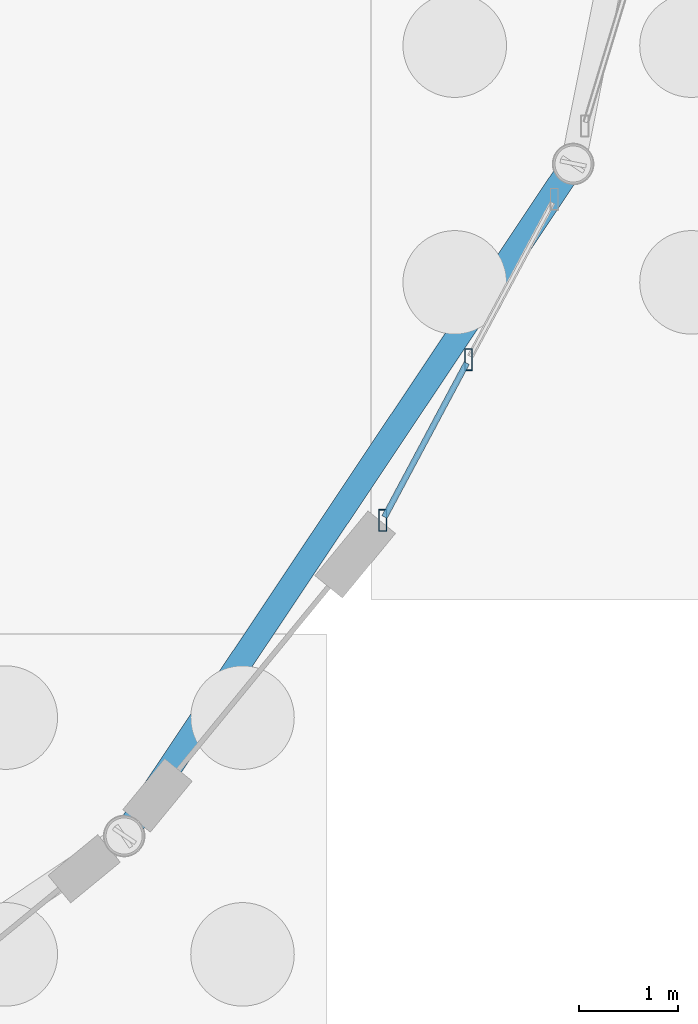
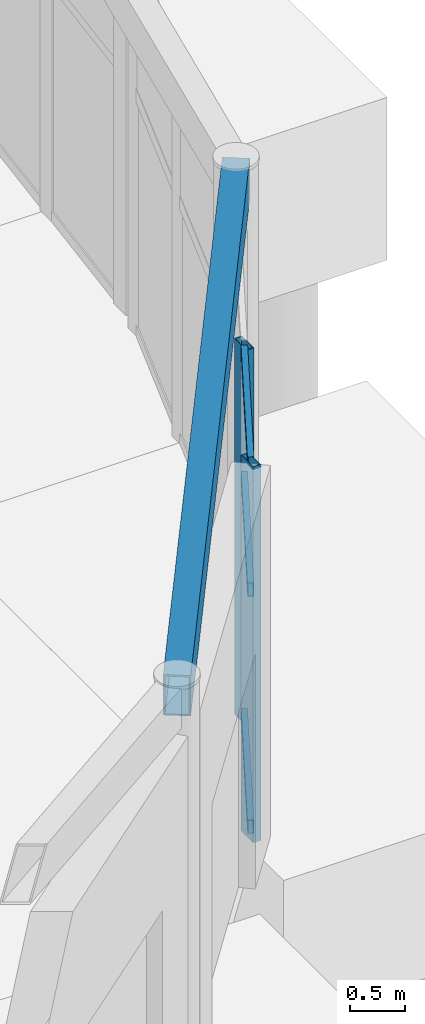
# One storey, part 69 of 160: 5 members, 1 beam, 1 element without a shape of its own.
"""IFC4 building model written with IfcOpenShell, lengths in metres."""

from ifc_helpers import new_model, si_unit, direction, frame, origin, origin_2d, place, context, subcontext, project, spatial, hollow_rectangle, extrude, material, layer, layer_set, material_profile, profile_set, type_object, element, aggregate, save


model = new_model("IFC4")

# Units and contexts
model_context = context("Model", 3, precision=1e-05, world=origin(), true_north=direction((0.0, 1.0)))
body_context = subcontext(model_context, "Body", "Model", "MODEL_VIEW")
ifc_project = project(units=[si_unit("LENGTHUNIT", "METRE"), si_unit("AREAUNIT", "SQUARE_METRE"), si_unit("VOLUMEUNIT", "CUBIC_METRE"), si_unit("PLANEANGLEUNIT", "RADIAN"), si_unit("MASSUNIT", "GRAM", prefix="KILO")], contexts=[model_context])

# Site, building, storey
site_placement = place(None, origin())
site = spatial("IfcSite", under=ifc_project, at=site_placement, CompositionType="ELEMENT")
building_placement = place(site_placement, origin())
building = spatial("IfcBuilding", under=site, at=building_placement, Name="Marlcrest Central Station", CompositionType="ELEMENT")
storey_placement = place(building_placement, origin())
storey = spatial("IfcBuildingStorey", under=building, at=storey_placement, Name="L00", CompositionType="ELEMENT", Elevation=0.0)

# Curtain wall, members
ifc_material_1 = material(Name="Anodised aluminium and hurricane laminated glass", Category="aluminium")
ifc_layer = layer(ifc_material_1, 0.219970703125, Name="CW-U1")
ifc_layer_set = layer_set([ifc_layer], Name="Anodised aluminium and hurricane laminated glass")
curtain_wall_type = type_object("IfcCurtainWallType", Name="CW-U1", PredefinedType="USERDEFINED", material=ifc_layer_set)
curtain_wall_placement = place(storey_placement, origin())
curtain_wall = element("IfcCurtainWall", 1, at=curtain_wall_placement, inside=storey, type_object=curtain_wall_type, Name="cw-L00-0006", ObjectType="UNITISED_CURTAIN_WALL", PredefinedType="USERDEFINED")
ifc_material_2 = material(Name="Anodised aluminium 6063-T6", Category="aluminium")
ifc_material_profile_1 = material_profile(ifc_material_2, hollow_rectangle(XDim=0.080078125, YDim=0.219970703125, WallThickness=0.006103515625, at=origin_2d()), Name="AA-RHS 220x80x6")
ifc_profile_set_1 = profile_set([ifc_material_profile_1], Name="Anodised aluminium 6063-T6")
member_type_1 = type_object("IfcMemberType", Name="ML-01", PredefinedType="MULLION", material=ifc_profile_set_1)
member_1_placement = place(storey_placement, frame((126.340576171875, 12.4794921875, -0.030029296875), z_axis=(0.0, 0.0, 1.0), x_axis=(1.0, 0.0, 0.0)))
member_1 = element("IfcMember", 2, at=member_1_placement, type_object=member_type_1, Name="cw-L00-0006-ml-1", PredefinedType="MULLION", context=body_context, shape_type="SweptSolid", body=[
    extrude(hollow_rectangle(XDim=0.080078125, YDim=0.219970703125, WallThickness=0.006103515625, at=origin_2d()), origin(), (0.0, 0.0, 1.0), 4.159912109375),
])
member_2_placement = place(storey_placement, frame((125.470703125, 10.851318359375, -0.030029296875), z_axis=(0.0, 0.0, 1.0), x_axis=(1.0, 0.0, 0.0)))
member_2 = element("IfcMember", 3, at=member_2_placement, type_object=member_type_1, Name="cw-L00-0006-ml-2", PredefinedType="MULLION", context=body_context, shape_type="SweptSolid", body=[
    extrude(hollow_rectangle(XDim=0.080078125, YDim=0.219970703125, WallThickness=0.006103515625, at=origin_2d()), origin(), (0.0, 0.0, 1.0), 4.159912109375),
])

# Beam
ifc_material_3 = material(Name="Steel S355", Category="steel")
ifc_material_profile_2 = material_profile(ifc_material_3, hollow_rectangle(XDim=0.25, YDim=0.449951171875, WallThickness=0.01611328125, at=origin_2d()), Name="RHS 450x250x16")
ifc_profile_set_2 = profile_set([ifc_material_profile_2], Name="Steel S355")
beam_type = type_object("IfcBeamType", Name="SP-02", PredefinedType="SPANDREL", material=ifc_profile_set_2)
beam_placement = place(storey_placement, frame((122.84912109375, 7.65087890625, 4.3798828125), z_axis=(0.55551129271, 0.831508991937, 0.0), x_axis=(-0.831508991937, 0.55551129271, 0.0)))
element("IfcBeam", 4, at=beam_placement, inside=storey, type_object=beam_type, Name="bm-SP-02-L00-01329", PredefinedType="SPANDREL", context=body_context, shape_type="SweptSolid", body=[
    extrude(hollow_rectangle(XDim=0.25, YDim=0.449951171875, WallThickness=0.01611328125, at=origin_2d()), origin(), (0.0, 0.0, 1.0), 8.19384765625),
])

# Member
ifc_material_profile_3 = material_profile(ifc_material_2, hollow_rectangle(XDim=0.06005859375, YDim=0.14990234375, WallThickness=0.00390625, at=origin_2d()), Name="AA-RHS 150x60x4")
ifc_profile_set_3 = profile_set([ifc_material_profile_3], Name="Anodised aluminium 6063-T6")
member_type_2 = type_object("IfcMemberType", Name="TR-01", PredefinedType="USERDEFINED", material=ifc_profile_set_3)
member_3_placement = place(storey_placement, frame((126.32275390625, 12.44580078125, 0.0400390625), z_axis=(-0.471325476804, -0.881959349922, 0.0), x_axis=(0.881959349922, -0.471325476804, 0.0)))
member_3 = element("IfcMember", 5, at=member_3_placement, type_object=member_type_2, Name="cw-L00-0006-tr-1-sill", ObjectType="TRANSOM", PredefinedType="USERDEFINED", context=body_context, shape_type="SweptSolid", body=[
    extrude(hollow_rectangle(XDim=0.06005859375, YDim=0.14990234375, WallThickness=0.00390625, at=origin_2d()), origin(), (0.0, 0.0, 1.0), 1.77001953125),
])

member_4_placement = place(storey_placement, frame((126.32275390625, 12.44580078125, 2.6650390625), z_axis=(-0.471325476804, -0.881959349922, 0.0), x_axis=(0.881959349922, -0.471325476804, 0.0)))
member_4 = element("IfcMember", 6, at=member_4_placement, type_object=member_type_2, Name="cw-L00-0006-tr-1-mid", ObjectType="TRANSOM", PredefinedType="USERDEFINED", context=body_context, shape_type="SweptSolid", body=[
    extrude(hollow_rectangle(XDim=0.06005859375, YDim=0.14990234375, WallThickness=0.00390625, at=origin_2d()), origin(), (0.0, 0.0, 1.0), 1.77001953125),
])

member_5_placement = place(storey_placement, frame((126.32275390625, 12.44580078125, 4.06005859375), z_axis=(-0.471325476804, -0.881959349922, 0.0), x_axis=(0.881959349922, -0.471325476804, 0.0)))
member_5 = element("IfcMember", 7, at=member_5_placement, type_object=member_type_2, Name="cw-L00-0006-tr-1-head", ObjectType="TRANSOM", PredefinedType="USERDEFINED", context=body_context, shape_type="SweptSolid", body=[
    extrude(hollow_rectangle(XDim=0.06005859375, YDim=0.14990234375, WallThickness=0.00390625, at=origin_2d()), origin(), (0.0, 0.0, 1.0), 1.77001953125),
])

aggregate(curtain_wall, [member_1, member_2, member_3, member_4, member_5])

save(model, "model.ifc")
